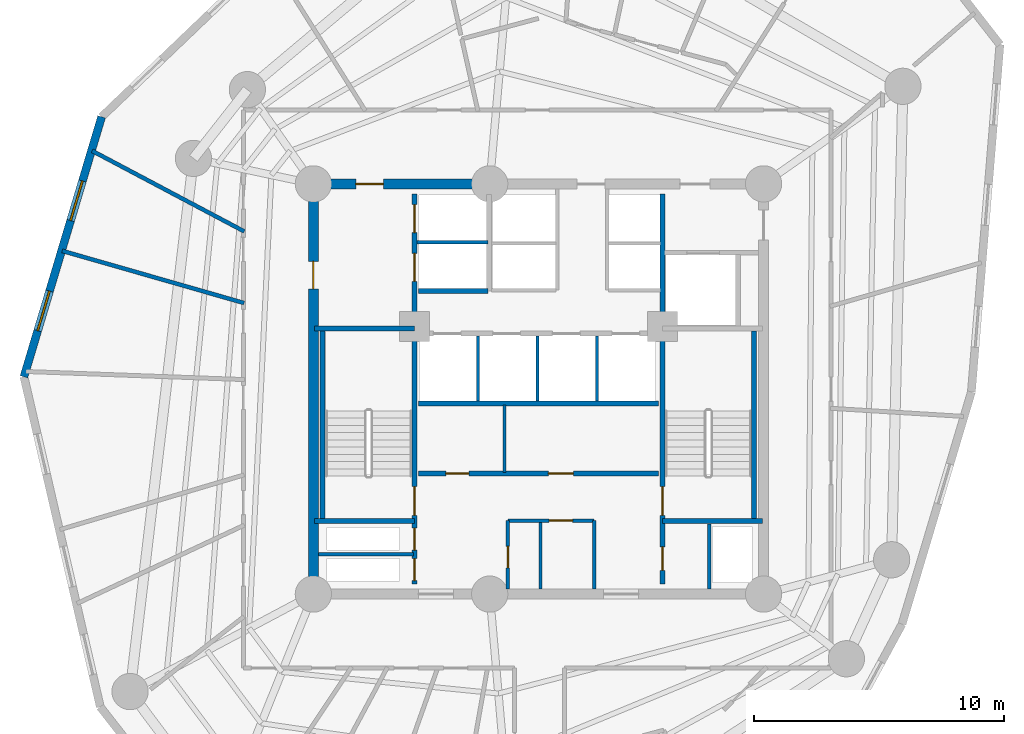
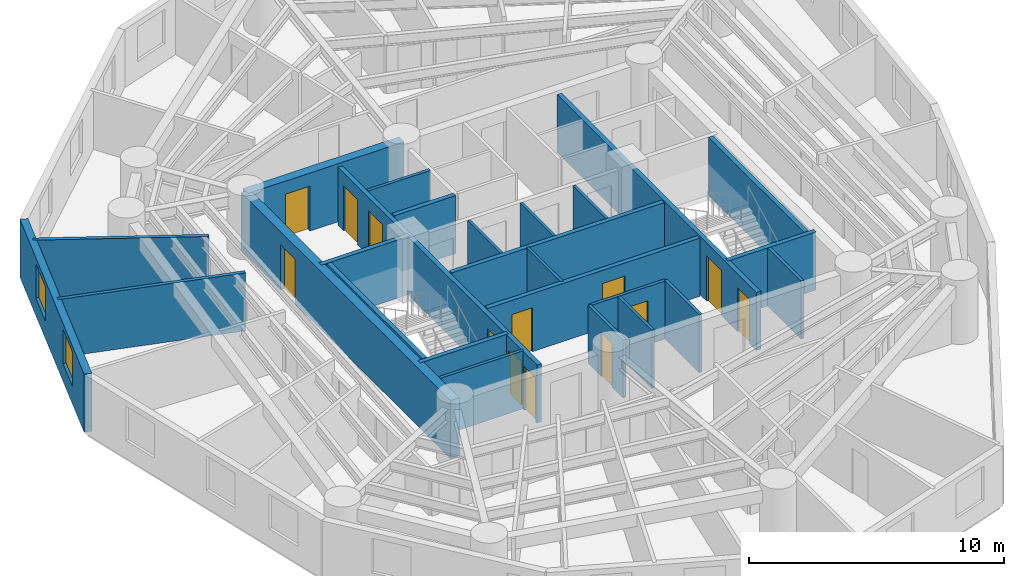
# One storey, part 4 of 7: 26 walls, 13 doors, 2 windows, 15 openings.
"""IFC4 building model written with IfcOpenShell, lengths in metres."""

from ifc_helpers import new_model, si_unit, direction, frame, frame_2d, origin, origin_with_axes, place, context, subcontext, project, spatial, rectangle, extrude, source, transform, mapped, material, layer, layer_set, type_object, element, fill, save


model = new_model("IFC4")

# Units and contexts
model_context = context("Model", 3, precision=1e-05, world=origin(), true_north=direction((0.0, 1.0)))
body_context = subcontext(model_context, "Body", "Model", "MODEL_VIEW")
ifc_project = project(units=[si_unit("LENGTHUNIT", "METRE"), si_unit("AREAUNIT", "SQUARE_METRE"), si_unit("VOLUMEUNIT", "CUBIC_METRE"), si_unit("PLANEANGLEUNIT", "RADIAN"), si_unit("MASSUNIT", "GRAM", prefix="KILO")], contexts=[model_context])

# Site, building, storey
site_placement = place(None, origin())
site = spatial("IfcSite", under=ifc_project, at=site_placement, CompositionType="ELEMENT")
building_placement = place(site_placement, origin())
building = spatial("IfcBuilding", under=site, at=building_placement, Name="Karkom Vertical University and Central Library", CompositionType="ELEMENT")
storey_placement = place(building_placement, frame((0.0, 0.0, 145.0)))
storey = spatial("IfcBuildingStorey", under=building, at=storey_placement, Name="L41", CompositionType="ELEMENT", Elevation=145.0)

# Wall, openings, windows
ifc_material_1 = material(Name="Brick-faced precast concrete C45/55", Category="masonry")
ifc_layer_1 = layer(ifc_material_1, 0.320068359375)
ifc_layer_set_1 = layer_set([ifc_layer_1], Name="Brick-faced precast concrete C45/55")
wall_type_1 = type_object("IfcWallType", Name="ENV-WL-BRK-320", PredefinedType="SOLIDWALL", material=ifc_layer_set_1)
wall_1_placement = place(storey_placement, frame((11.03369140625, 37.381103515625, 0.0), z_axis=(0.0, 0.0, 1.0), x_axis=(-0.286364908396, -0.958120628752, 0.0)))
wall_1 = element("IfcWall", 1, at=wall_1_placement, inside=storey, type_object=wall_type_1, Name="Level 41 Brick-Faced Precast Facade Wall 01", PredefinedType="SOLIDWALL", context=body_context, shape_type="SweptSolid", body=[
    extrude(rectangle(XDim=10.847900390625, YDim=0.320068359375, at=frame_2d((5.423828125, 0.0))), origin(), (0.0, 0.0, 1.0), 2.77490234375),
])
opening_1_placement = place(wall_1_placement, frame((2.676513671875, 0.0, 0.85009765625)))
opening_1 = element("IfcOpeningElement", 2, at=opening_1_placement, cuts=wall_1, Name="Opening WN-06", PredefinedType="OPENING", context=body_context, shape_type="SweptSolid", body=[
    extrude(rectangle(XDim=1.64990234375, YDim=1.64990234375, at=frame_2d((0.824951171875, 0.824951171875))), frame((0.0, 0.169921875, 0.0), z_axis=(0.0, -1.0, 0.0), x_axis=(1.0, 0.0, 0.0)), (0.0, 0.0, 1.0), 0.340087890625),
])
opening_2_placement = place(wall_1_placement, frame((7.2724609375, 0.0, 0.85009765625)))
opening_2 = element("IfcOpeningElement", 3, at=opening_2_placement, cuts=wall_1, Name="Opening WN-06", PredefinedType="OPENING", context=body_context, shape_type="SweptSolid", body=[
    extrude(rectangle(XDim=1.64990234375, YDim=1.64990234375, at=frame_2d((0.824951171875, 0.824951171875))), frame((0.0, 0.169921875, 0.0), z_axis=(0.0, -1.0, 0.0), x_axis=(1.0, 0.0, 0.0)), (0.0, 0.0, 1.0), 0.340087890625),
])
ifc_material_2 = material(Name="Aluminium thermal-break frame with solar-control IGU", Category="aluminium")
window_type = type_object("IfcWindowType", Name="ENV-WIN-WN-06", PartitioningType="SINGLE_PANEL", PredefinedType="WINDOW", material=ifc_material_2)
shared_shape_1 = source(origin_with_axes(), body_context, "Body", "SweptSolid", [
    extrude(rectangle(XDim=1.64990234375, YDim=1.64990234375, at=frame_2d((0.824951171875, 0.824951171875))), frame((0.0, 0.030029296875, 0.0), z_axis=(0.0, -1.0, 0.0), x_axis=(1.0, 0.0, 0.0)), (0.0, 0.0, 1.0), 0.06005859375),
])
window_1_placement = place(opening_1_placement, origin())
window_1 = element("IfcWindow", 4, at=window_1_placement, inside=storey, type_object=window_type, Name="Level 41 Punched Window 1.1", OverallHeight=1.64990234375, OverallWidth=1.64990234375, PartitioningType="SINGLE_PANEL", PredefinedType="WINDOW", context=body_context, shape_type="MappedRepresentation", body=[
    mapped(shared_shape_1, transform((0.0, 0.0, 0.0), scale=1.0)),
])
fill(opening_1, window_1)
window_2_placement = place(opening_2_placement, origin())
window_2 = element("IfcWindow", 5, at=window_2_placement, inside=storey, type_object=window_type, Name="Level 41 Punched Window 1.2", OverallHeight=1.64990234375, OverallWidth=1.64990234375, PartitioningType="SINGLE_PANEL", PredefinedType="WINDOW", context=body_context, shape_type="MappedRepresentation", body=[
    mapped(shared_shape_1, transform((0.0, 0.0, 0.0), scale=1.0)),
])
fill(opening_2, window_2)

# Walls
ifc_material_3 = material(Name="Insulated metal-stud drywall 160mm", Category="gypsum")
ifc_layer_2 = layer(ifc_material_3, 0.159912109375)
ifc_layer_set_2 = layer_set([ifc_layer_2], Name="Insulated metal-stud drywall 160mm")
wall_type_2 = type_object("IfcWallType", Name="INT-WL-COR-160", PredefinedType="PARTITIONING", material=ifc_layer_set_2)
wall_2_placement = place(storey_placement, frame((16.728759765625, 29.937744140625, 0.0), z_axis=(0.0, 0.0, 1.0), x_axis=(-0.961264069999, 0.27562907635, 0.0)))
element("IfcWall", 6, at=wall_2_placement, inside=storey, type_object=wall_type_2, Name="Level 41 Interior Partition Wall L41-PW-032", PredefinedType="PARTITIONING", context=body_context, shape_type="SweptSolid", body=[
    extrude(rectangle(XDim=7.5634765625, YDim=0.159912109375, at=frame_2d((3.78173828125, 0.0))), origin(), (0.0, 0.0, 1.0), 2.77490234375),
])
wall_3_placement = place(storey_placement, frame((16.73974609375, 32.798095703125, 0.0), z_axis=(0.0, 0.0, 1.0), x_axis=(-0.883656797491, 0.468135305492, 0.0)))
element("IfcWall", 7, at=wall_3_placement, inside=storey, type_object=wall_type_2, Name="Level 41 Interior Partition Wall L41-PW-031", PredefinedType="PARTITIONING", context=body_context, shape_type="SweptSolid", body=[
    extrude(rectangle(XDim=6.88623046875, YDim=0.159912109375, at=frame_2d((3.443115234375, 0.0))), origin(), (0.0, 0.0, 1.0), 2.77490234375),
])
ifc_material_4 = material(Name="Moisture-resistant drywall 120mm", Category="gypsum")
ifc_layer_3 = layer(ifc_material_4, 0.1201171875)
ifc_layer_set_3 = layer_set([ifc_layer_3], Name="Moisture-resistant drywall 120mm")
wall_type_3 = type_object("IfcWallType", Name="INT-WL-INT-120", PredefinedType="PARTITIONING", material=ifc_layer_set_3)
wall_4_placement = place(storey_placement, frame((27.14990234375, 23.169921875, 0.0), z_axis=(0.0, 0.0, 1.0), x_axis=(0.0, 1.0, 0.0)))
element("IfcWall", 8, at=wall_4_placement, inside=storey, type_object=wall_type_3, Name="Level 41 Interior Partition Wall L41-CW-B1-K2", PredefinedType="PARTITIONING", context=body_context, shape_type="SweptSolid", body=[
    extrude(rectangle(XDim=2.7001953125, YDim=0.1201171875, at=frame_2d((1.35009765625, 0.0))), origin(), (0.0, 0.0, 1.0), 2.77490234375),
])
wall_5_placement = place(storey_placement, frame((28.580078125, 18.507080078125, 0.0), z_axis=(0.0, 0.0, 1.0), x_axis=(0.0, 1.0, 0.0)))
element("IfcWall", 9, at=wall_5_placement, inside=storey, type_object=wall_type_3, Name="Level 41 Interior Partition Wall L41-CW-K2-DIV", PredefinedType="PARTITIONING", context=body_context, shape_type="SweptSolid", body=[
    extrude(rectangle(XDim=2.66162109375, YDim=0.1201171875, at=frame_2d((1.330810546875, 0.0))), origin(), (0.0, 0.0, 1.0), 2.77490234375),
])
ifc_layer_4 = layer(ifc_material_4, 0.1201171875)
ifc_layer_set_4 = layer_set([ifc_layer_4], Name="Moisture-resistant drywall 120mm")
wall_type_4 = type_object("IfcWallType", Name="INT-WL-INT-120H", PredefinedType="PARTITIONING", material=ifc_layer_set_4)
for number, where, z_axis, x_axis, name in (
    (10, (26.080078125, 26.02001953125, 0.0), (0.0, 0.0, 1.0), (0.0, 1.0, 0.0), "Level 41 Interior Partition Wall L41-CW-PM-DIV1"),
    (11, (28.4599609375, 26.02001953125, 0.0), (0.0, 0.0, 1.0), (0.0, 1.0, 0.0), "Level 41 Interior Partition Wall L41-CW-PM-DIV2"),
    (12, (30.840087890625, 26.02001953125, 0.0), (0.0, 0.0, 1.0), (0.0, 1.0, 0.0), "Level 41 Interior Partition Wall L41-CW-PM-DIV3"),
):
    element("IfcWall", number, at=place(storey_placement, frame(where, z_axis=z_axis, x_axis=x_axis)), inside=storey, type_object=wall_type_4, Name=name, PredefinedType="PARTITIONING", context=body_context, shape_type="SweptSolid", body=[
        extrude(rectangle(XDim=2.60009765625, YDim=0.1201171875, at=frame_2d((1.300048828125, 0.0))), origin(), (0.0, 0.0, 1.0), 2.77490234375),
    ])

# Wall, opening, door
ifc_material_5 = material(Name="Metal-stud gypsum partition 140mm", Category="gypsum")
ifc_layer_5 = layer(ifc_material_5, 0.139892578125)
ifc_layer_set_5 = layer_set([ifc_layer_5], Name="Metal-stud gypsum partition 140mm")
wall_type_5 = type_object("IfcWallType", Name="INT-WL-SUB-140", PredefinedType="PARTITIONING", material=ifc_layer_set_5)
wall_6_placement = place(storey_placement, frame((27.280029296875, 21.239990234375, 0.0), z_axis=(0.0, 0.0, 1.0), x_axis=(1.0, 0.0, 0.0)))
wall_6 = element("IfcWall", 13, at=wall_6_placement, inside=storey, type_object=wall_type_5, Name="Level 41 Interior Partition Wall L41-CW-KBAY-N", PredefinedType="PARTITIONING", context=body_context, shape_type="SweptSolid", body=[
    extrude(rectangle(XDim=3.43994140625, YDim=0.139892578125, at=frame_2d((1.719970703125, 0.0))), origin(), (0.0, 0.0, 1.0), 2.77490234375),
])
opening_3_placement = place(wall_6_placement, frame((1.64990234375, 0.0, 0.0)))
opening_3 = element("IfcOpeningElement", 14, at=opening_3_placement, cuts=wall_6, Name="Opening D-WC1", PredefinedType="OPENING", context=body_context, shape_type="SweptSolid", body=[
    extrude(rectangle(XDim=0.93994140625, YDim=2.10009765625, at=frame_2d((0.469970703125, 1.050048828125))), frame((0.0, 0.080078125, 0.0), z_axis=(0.0, -1.0, 0.0), x_axis=(1.0, 0.0, 0.0)), (0.0, 0.0, 1.0), 0.159912109375),
])
ifc_material_6 = material(Name="Fire-rated laminate moisture-resistant door", Category="wood")
door_type_1 = type_object("IfcDoorType", Name="INT-DR-WC1", OperationType="NOTDEFINED", PredefinedType="DOOR", material=ifc_material_6)
shared_shape_2 = source(origin_with_axes(), body_context, "Body", "SweptSolid", [
    extrude(rectangle(XDim=0.93994140625, YDim=2.10009765625, at=frame_2d((0.469970703125, 1.050048828125))), frame((0.0, 0.02490234375, 0.0), z_axis=(0.0, -1.0, 0.0), x_axis=(1.0, 0.0, 0.0)), (0.0, 0.0, 1.0), 0.050048828125),
])
door_1_placement = place(opening_3_placement, origin())
door_1 = element("IfcDoor", 15, at=door_1_placement, inside=storey, type_object=door_type_1, Name="Level 41 Staff WC Door", OperationType="SINGLE_SWING_RIGHT", OverallHeight=2.10009765625, OverallWidth=0.93994140625, PredefinedType="DOOR", context=body_context, shape_type="MappedRepresentation", body=[
    mapped(shared_shape_2, transform((0.0, 0.0, 0.0), scale=1.0)),
])
fill(opening_3, door_1)

wall_7_placement = place(storey_placement, frame((27.280029296875, 18.507080078125, 0.0), z_axis=(0.0, 0.0, 1.0), x_axis=(0.0, 1.0, 0.0)))
wall_7 = element("IfcWall", 16, at=wall_7_placement, inside=storey, type_object=wall_type_5, Name="Level 41 Interior Partition Wall L41-CW-KBAY-W", PredefinedType="PARTITIONING", context=body_context, shape_type="SweptSolid", body=[
    extrude(rectangle(XDim=2.73291015625, YDim=0.139892578125, at=frame_2d((1.366455078125, 0.0))), origin(), (0.0, 0.0, 1.0), 2.77490234375),
])
opening_4_placement = place(wall_7_placement, frame((0.840087890625, 0.0, 0.0)))
opening_4 = element("IfcOpeningElement", 17, at=opening_4_placement, cuts=wall_7, Name="Opening D-BATH", PredefinedType="OPENING", context=body_context, shape_type="SweptSolid", body=[
    extrude(rectangle(XDim=0.860107421875, YDim=2.10009765625, at=frame_2d((0.43017578125, 1.050048828125))), frame((0.0, 0.080078125, 0.0), z_axis=(0.0, -1.0, 0.0), x_axis=(1.0, 0.0, 0.0)), (0.0, 0.0, 1.0), 0.159912109375),
])
ifc_material_7 = material(Name="Moisture-resistant oak door", Category="wood")
door_type_2 = type_object("IfcDoorType", Name="INT-DR-BATH", OperationType="NOTDEFINED", PredefinedType="DOOR", material=ifc_material_7)
shared_shape_3 = source(origin_with_axes(), body_context, "Body", "SweptSolid", [
    extrude(rectangle(XDim=0.860107421875, YDim=2.10009765625, at=frame_2d((0.43017578125, 1.050048828125))), frame((0.0, 0.02490234375, 0.0), z_axis=(0.0, -1.0, 0.0), x_axis=(1.0, 0.0, 0.0)), (0.0, 0.0, 1.0), 0.050048828125),
])
door_2_placement = place(opening_4_placement, origin())
door_2 = element("IfcDoor", 18, at=door_2_placement, inside=storey, type_object=door_type_2, Name="Level 41 Cleaners Store Door", OperationType="SINGLE_SWING_LEFT", OverallHeight=2.10009765625, OverallWidth=0.860107421875, PredefinedType="DOOR", context=body_context, shape_type="MappedRepresentation", body=[
    mapped(shared_shape_3, transform((0.0, 0.0, 0.0), scale=1.0)),
])
fill(opening_4, door_2)

# Walls
wall_8_placement = place(storey_placement, frame((30.719970703125, 18.507080078125, 0.0), z_axis=(0.0, 0.0, 1.0), x_axis=(0.0, 1.0, 0.0)))
element("IfcWall", 19, at=wall_8_placement, inside=storey, type_object=wall_type_5, Name="Level 41 Interior Partition Wall L41-CW-KBAY-E", PredefinedType="PARTITIONING", context=body_context, shape_type="SweptSolid", body=[
    extrude(rectangle(XDim=2.73291015625, YDim=0.139892578125, at=frame_2d((1.366455078125, 0.0))), origin(), (0.0, 0.0, 1.0), 2.77490234375),
])
ifc_layer_6 = layer(ifc_material_5, 0.139892578125)
ifc_layer_set_6 = layer_set([ifc_layer_6], Name="Metal-stud gypsum partition 140mm")
wall_type_6 = type_object("IfcWallType", Name="INT-WL-SUB-140H", PredefinedType="PARTITIONING", material=ifc_layer_set_6)
wall_9_placement = place(storey_placement, frame((19.70703125, 19.889892578125, 0.0), z_axis=(0.0, 0.0, 1.0), x_axis=(1.0, 0.0, 0.0)))
element("IfcWall", 20, at=wall_9_placement, inside=storey, type_object=wall_type_6, Name="Level 41 Interior Partition Wall L41-CW-RIS-W", PredefinedType="PARTITIONING", context=body_context, shape_type="SweptSolid", body=[
    extrude(rectangle(XDim=3.789794921875, YDim=0.139892578125, at=frame_2d((1.89501953125, 0.0))), origin(), (0.0, 0.0, 1.0), 2.77490234375),
])
wall_10_placement = place(storey_placement, frame((35.320068359375, 18.507080078125, 0.0), z_axis=(0.0, 0.0, 1.0), x_axis=(0.0, 1.0, 0.0)))
element("IfcWall", 21, at=wall_10_placement, inside=storey, type_object=wall_type_6, Name="Level 41 Interior Partition Wall L41-CW-RIS-E", PredefinedType="PARTITIONING", context=body_context, shape_type="SweptSolid", body=[
    extrude(rectangle(XDim=2.603759765625, YDim=0.139892578125, at=frame_2d((1.3017578125, 0.0))), origin(), (0.0, 0.0, 1.0), 2.77490234375),
])
ifc_layer_7 = layer(ifc_material_5, 0.139892578125)
ifc_layer_set_7 = layer_set([ifc_layer_7], Name="Metal-stud gypsum partition 140mm")
wall_type_7 = type_object("IfcWallType", Name="INT-WL-SUB-140X", PredefinedType="PARTITIONING", material=ifc_layer_set_7)
wall_11_placement = place(storey_placement, frame((23.652099609375, 32.3701171875, 0.0), z_axis=(0.0, 0.0, 1.0), x_axis=(1.0, 0.0, 0.0)))
element("IfcWall", 22, at=wall_11_placement, inside=storey, type_object=wall_type_7, Name="Level 41 Interior Partition Wall L41-CW-FFL-M", PredefinedType="PARTITIONING", context=body_context, shape_type="SweptSolid", body=[
    extrude(rectangle(XDim=2.827880859375, YDim=0.139892578125, at=frame_2d((1.4140625, 0.0))), origin(), (0.0, 0.0, 1.0), 2.77490234375),
])

# Wall, opening, door
ifc_material_8 = material(Name="Concrete C50/60", Category="concrete")
ifc_layer_8 = layer(ifc_material_8, 0.39990234375)
ifc_layer_set_8 = layer_set([ifc_layer_8], Name="Concrete C50/60")
wall_type_8 = type_object("IfcWallType", Name="STR-WL-CW-400", PredefinedType="SHEAR", material=ifc_layer_set_8)
wall_12_placement = place(storey_placement, frame((26.550048828125, 34.699951171875, 0.0), z_axis=(0.0, 0.0, 1.0), x_axis=(-1.0, 0.0, 0.0)))
wall_12 = element("IfcWall", 23, at=wall_12_placement, inside=storey, type_object=wall_type_8, Name="Level 41 Central Core Shear Wall NW2", PredefinedType="SHEAR", context=body_context, shape_type="SweptSolid", body=[
    extrude(rectangle(XDim=7.050048828125, YDim=0.39990234375, at=frame_2d((3.52490234375, 0.0))), origin(), (0.0, 0.0, 1.0), 2.77490234375),
])
opening_5_placement = place(wall_12_placement, frame((4.25, 0.0, 0.0)))
opening_5 = element("IfcOpeningElement", 24, at=opening_5_placement, cuts=wall_12, Name="Opening FD-FFL", PredefinedType="OPENING", context=body_context, shape_type="SweptSolid", body=[
    extrude(rectangle(XDim=1.10009765625, YDim=2.14990234375, at=frame_2d((0.550048828125, 1.074951171875))), frame((0.0, 0.2099609375, 0.0), z_axis=(0.0, -1.0, 0.0), x_axis=(1.0, 0.0, 0.0)), (0.0, 0.0, 1.0), 0.419921875),
])
ifc_material_9 = material(Name="Painted steel smoke-seal fire door", Category="steel")
door_type_3 = type_object("IfcDoorType", Name="INT-DR-FFL", OperationType="NOTDEFINED", PredefinedType="DOOR", material=ifc_material_9)
shared_shape_4 = source(origin_with_axes(), body_context, "Body", "SweptSolid", [
    extrude(rectangle(XDim=1.10009765625, YDim=2.14990234375, at=frame_2d((0.550048828125, 1.074951171875))), frame((0.0, 0.02490234375, 0.0), z_axis=(0.0, -1.0, 0.0), x_axis=(1.0, 0.0, 0.0)), (0.0, 0.0, 1.0), 0.050048828125),
])
door_3_placement = place(opening_5_placement, origin())
door_3 = element("IfcDoor", 25, at=door_3_placement, inside=storey, type_object=door_type_3, Name="Level 41 Firefighting Lobby Door", OperationType="SINGLE_SWING_RIGHT", OverallHeight=2.14990234375, OverallWidth=1.10009765625, PredefinedType="DOOR", context=body_context, shape_type="MappedRepresentation", body=[
    mapped(shared_shape_4, transform((0.0, 0.0, 0.0), scale=1.0)),
])
fill(opening_5, door_3)

wall_13_placement = place(storey_placement, frame((19.5, 34.699951171875, 0.0), z_axis=(0.0, 0.0, 1.0), x_axis=(0.0, -1.0, 0.0)))
wall_13 = element("IfcWall", 26, at=wall_13_placement, inside=storey, type_object=wall_type_8, Name="Level 41 Central Core Shear Wall WW", PredefinedType="SHEAR", context=body_context, shape_type="SweptSolid", body=[
    extrude(rectangle(XDim=16.39990234375, YDim=0.39990234375, at=frame_2d((8.199951171875, 0.0))), origin(), (0.0, 0.0, 1.0), 2.77490234375),
])
opening_6_placement = place(wall_13_placement, frame((3.10009765625, 0.0, 0.0)))
opening_6 = element("IfcOpeningElement", 27, at=opening_6_placement, cuts=wall_13, Name="Opening FD-FFL", PredefinedType="OPENING", context=body_context, shape_type="SweptSolid", body=[
    extrude(rectangle(XDim=1.10009765625, YDim=2.14990234375, at=frame_2d((0.550048828125, 1.074951171875))), frame((0.0, 0.2099609375, 0.0), z_axis=(0.0, -1.0, 0.0), x_axis=(1.0, 0.0, 0.0)), (0.0, 0.0, 1.0), 0.419921875),
])
door_4_placement = place(opening_6_placement, origin())
door_4 = element("IfcDoor", 28, at=door_4_placement, inside=storey, type_object=door_type_3, Name="Level 41 West Corridor Firefighting Lobby Door", OperationType="SINGLE_SWING_LEFT", OverallHeight=2.14990234375, OverallWidth=1.10009765625, PredefinedType="DOOR", context=body_context, shape_type="MappedRepresentation", body=[
    mapped(shared_shape_4, transform((0.0, 0.0, 0.0), scale=1.0)),
])
fill(opening_6, door_4)

# Wall, openings, doors
ifc_material_10 = material(Name="Concrete C45/55", Category="concrete")
ifc_layer_9 = layer(ifc_material_10, 0.199951171875)
ifc_layer_set_9 = layer_set([ifc_layer_9], Name="Concrete C45/55")
wall_type_9 = type_object("IfcWallType", Name="STR-WL-ST-200", PredefinedType="SHEAR", material=ifc_layer_set_9)
wall_14_placement = place(storey_placement, frame((23.544921875, 18.699951171875, 0.0), z_axis=(0.0, 0.0, 1.0), x_axis=(0.0, 1.0, 0.0)))
wall_14 = element("IfcWall", 29, at=wall_14_placement, inside=storey, type_object=wall_type_9, Name="Level 41 Core Shaft Wall L41-CW-ST1-E", PredefinedType="SHEAR", context=body_context, shape_type="SweptSolid", body=[
    extrude(rectangle(XDim=15.60009765625, YDim=0.199951171875, at=frame_2d((7.800048828125, 0.0))), origin(), (0.0, 0.0, 1.0), 2.77490234375),
])
opening_7_placement = place(wall_14_placement, frame((2.75, 0.0, 0.0)))
opening_7 = element("IfcOpeningElement", 30, at=opening_7_placement, cuts=wall_14, Name="Opening FD-ST1", PredefinedType="OPENING", context=body_context, shape_type="SweptSolid", body=[
    extrude(rectangle(XDim=1.14990234375, YDim=2.14990234375, at=frame_2d((0.574951171875, 1.074951171875))), frame((0.0, 0.10986328125, 0.0), z_axis=(0.0, -1.0, 0.0), x_axis=(1.0, 0.0, 0.0)), (0.0, 0.0, 1.0), 0.219970703125),
])
opening_8_placement = place(wall_14_placement, frame((0.139892578125, 0.0, 0.0)))
opening_8 = element("IfcOpeningElement", 31, at=opening_8_placement, cuts=wall_14, Name="Opening FD-RIS", PredefinedType="OPENING", context=body_context, shape_type="SweptSolid", body=[
    extrude(rectangle(XDim=0.8798828125, YDim=2.10009765625, at=frame_2d((0.43994140625, 1.050048828125))), frame((0.0, 0.10986328125, 0.0), z_axis=(0.0, -1.0, 0.0), x_axis=(1.0, 0.0, 0.0)), (0.0, 0.0, 1.0), 0.219970703125),
])
opening_9_placement = place(wall_14_placement, frame((1.360107421875, 0.0, 0.0)))
opening_9 = element("IfcOpeningElement", 32, at=opening_9_placement, cuts=wall_14, Name="Opening FD-RIS", PredefinedType="OPENING", context=body_context, shape_type="SweptSolid", body=[
    extrude(rectangle(XDim=0.8798828125, YDim=2.10009765625, at=frame_2d((0.43994140625, 1.050048828125))), frame((0.0, 0.10986328125, 0.0), z_axis=(0.0, -1.0, 0.0), x_axis=(1.0, 0.0, 0.0)), (0.0, 0.0, 1.0), 0.219970703125),
])
opening_10_placement = place(wall_14_placement, frame((12.10009765625, 0.0, 0.0)))
opening_10 = element("IfcOpeningElement", 33, at=opening_10_placement, cuts=wall_14, Name="Opening LD-FFL", PredefinedType="OPENING", context=body_context, shape_type="SweptSolid", body=[
    extrude(rectangle(XDim=1.1201171875, YDim=2.14990234375, at=frame_2d((0.56005859375, 1.074951171875))), frame((0.0, 0.10986328125, 0.0), z_axis=(0.0, -1.0, 0.0), x_axis=(1.0, 0.0, 0.0)), (0.0, 0.0, 1.0), 0.219970703125),
])
opening_11_placement = place(wall_14_placement, frame((14.050048828125, 0.0, 0.0)))
opening_11 = element("IfcOpeningElement", 34, at=opening_11_placement, cuts=wall_14, Name="Opening LD-FFL", PredefinedType="OPENING", context=body_context, shape_type="SweptSolid", body=[
    extrude(rectangle(XDim=1.1201171875, YDim=2.14990234375, at=frame_2d((0.56005859375, 1.074951171875))), frame((0.0, 0.10986328125, 0.0), z_axis=(0.0, -1.0, 0.0), x_axis=(1.0, 0.0, 0.0)), (0.0, 0.0, 1.0), 0.219970703125),
])
ifc_material_11 = material(Name="Painted steel acoustic fire door", Category="steel")
door_type_4 = type_object("IfcDoorType", Name="INT-DR-ST1", OperationType="NOTDEFINED", PredefinedType="DOOR", material=ifc_material_11)
shared_shape_5 = source(origin_with_axes(), body_context, "Body", "SweptSolid", [
    extrude(rectangle(XDim=1.14990234375, YDim=2.14990234375, at=frame_2d((0.574951171875, 1.074951171875))), frame((0.0, 0.02490234375, 0.0), z_axis=(0.0, -1.0, 0.0), x_axis=(1.0, 0.0, 0.0)), (0.0, 0.0, 1.0), 0.050048828125),
])
door_5_placement = place(opening_7_placement, origin())
door_5 = element("IfcDoor", 35, at=door_5_placement, inside=storey, type_object=door_type_4, Name="Level 41 Stair ST-1 Fire Door", OperationType="SINGLE_SWING_RIGHT", OverallHeight=2.14990234375, OverallWidth=1.14990234375, PredefinedType="DOOR", context=body_context, shape_type="MappedRepresentation", body=[
    mapped(shared_shape_5, transform((0.0, 0.0, 0.0), scale=1.0)),
])
fill(opening_7, door_5)
ifc_material_12 = material(Name="Painted steel riser access door", Category="steel")
door_type_5 = type_object("IfcDoorType", Name="INT-DR-RIS", OperationType="NOTDEFINED", PredefinedType="DOOR", material=ifc_material_12)
shared_shape_6 = source(origin_with_axes(), body_context, "Body", "SweptSolid", [
    extrude(rectangle(XDim=0.8798828125, YDim=2.10009765625, at=frame_2d((0.43994140625, 1.050048828125))), frame((0.0, 0.02490234375, 0.0), z_axis=(0.0, -1.0, 0.0), x_axis=(1.0, 0.0, 0.0)), (0.0, 0.0, 1.0), 0.050048828125),
])
door_6_placement = place(opening_8_placement, origin())
door_6 = element("IfcDoor", 36, at=door_6_placement, inside=storey, type_object=door_type_5, Name="Level 41 Electrical Riser Access Door", OperationType="SINGLE_SWING_RIGHT", OverallHeight=2.10009765625, OverallWidth=0.8798828125, PredefinedType="DOOR", context=body_context, shape_type="MappedRepresentation", body=[
    mapped(shared_shape_6, transform((0.0, 0.0, 0.0), scale=1.0)),
])
fill(opening_8, door_6)
door_7_placement = place(opening_9_placement, origin())
door_7 = element("IfcDoor", 37, at=door_7_placement, inside=storey, type_object=door_type_5, Name="Level 41 Telecom Riser Access Door", OperationType="SINGLE_SWING_LEFT", OverallHeight=2.10009765625, OverallWidth=0.8798828125, PredefinedType="DOOR", context=body_context, shape_type="MappedRepresentation", body=[
    mapped(shared_shape_6, transform((0.0, 0.0, 0.0), scale=1.0)),
])
fill(opening_9, door_7)
ifc_material_13 = material(Name="Fire-rated stainless-steel landing door", Category="steel")
door_type_6 = type_object("IfcDoorType", Name="INT-DR-LD-FFL", OperationType="SLIDING_TO_LEFT", PredefinedType="DOOR", material=ifc_material_13)
shared_shape_7 = source(origin_with_axes(), body_context, "Body", "SweptSolid", [
    extrude(rectangle(XDim=1.1201171875, YDim=2.14990234375, at=frame_2d((0.56005859375, 1.074951171875))), frame((0.0, 0.02490234375, 0.0), z_axis=(0.0, -1.0, 0.0), x_axis=(1.0, 0.0, 0.0)), (0.0, 0.0, 1.0), 0.050048828125),
])
door_8_placement = place(opening_10_placement, origin())
door_8 = element("IfcDoor", 38, at=door_8_placement, inside=storey, type_object=door_type_6, Name="Level 41 Firefighting Lift FFL-1 Landing Door", OperationType="SLIDING_TO_LEFT", OverallHeight=2.14990234375, OverallWidth=1.1201171875, PredefinedType="DOOR", context=body_context, shape_type="MappedRepresentation", body=[
    mapped(shared_shape_7, transform((0.0, 0.0, 0.0), scale=1.0)),
])
fill(opening_10, door_8)
door_9_placement = place(opening_11_placement, origin())
door_9 = element("IfcDoor", 39, at=door_9_placement, inside=storey, type_object=door_type_6, Name="Level 41 Firefighting Lift FFL-2 Landing Door", OperationType="SLIDING_TO_RIGHT", OverallHeight=2.14990234375, OverallWidth=1.1201171875, PredefinedType="DOOR", context=body_context, shape_type="MappedRepresentation", body=[
    mapped(shared_shape_7, transform((0.0, 0.0, 0.0), scale=1.0)),
])
fill(opening_11, door_9)

wall_15_placement = place(storey_placement, frame((33.455078125, 18.699951171875, 0.0), z_axis=(0.0, 0.0, 1.0), x_axis=(0.0, 1.0, 0.0)))
wall_15 = element("IfcWall", 40, at=wall_15_placement, inside=storey, type_object=wall_type_9, Name="Level 41 Core Shaft Wall L41-CW-ST2-W", PredefinedType="SHEAR", context=body_context, shape_type="SweptSolid", body=[
    extrude(rectangle(XDim=15.60009765625, YDim=0.199951171875, at=frame_2d((7.800048828125, 0.0))), origin(), (0.0, 0.0, 1.0), 2.77490234375),
])
opening_12_placement = place(wall_15_placement, frame((2.75, 0.0, 0.0)))
opening_12 = element("IfcOpeningElement", 41, at=opening_12_placement, cuts=wall_15, Name="Opening FD-ST1", PredefinedType="OPENING", context=body_context, shape_type="SweptSolid", body=[
    extrude(rectangle(XDim=1.14990234375, YDim=2.14990234375, at=frame_2d((0.574951171875, 1.074951171875))), frame((0.0, 0.10986328125, 0.0), z_axis=(0.0, -1.0, 0.0), x_axis=(1.0, 0.0, 0.0)), (0.0, 0.0, 1.0), 0.219970703125),
])
opening_13_placement = place(wall_15_placement, frame((0.550048828125, 0.0, 0.0)))
opening_13 = element("IfcOpeningElement", 42, at=opening_13_placement, cuts=wall_15, Name="Opening D-WC1", PredefinedType="OPENING", context=body_context, shape_type="SweptSolid", body=[
    extrude(rectangle(XDim=0.93994140625, YDim=2.10009765625, at=frame_2d((0.469970703125, 1.050048828125))), frame((0.0, 0.10986328125, 0.0), z_axis=(0.0, -1.0, 0.0), x_axis=(1.0, 0.0, 0.0)), (0.0, 0.0, 1.0), 0.219970703125),
])
door_10_placement = place(opening_12_placement, origin())
door_10 = element("IfcDoor", 43, at=door_10_placement, inside=storey, type_object=door_type_4, Name="Level 41 Stair ST-2 Fire Door", OperationType="SINGLE_SWING_LEFT", OverallHeight=2.14990234375, OverallWidth=1.14990234375, PredefinedType="DOOR", context=body_context, shape_type="MappedRepresentation", body=[
    mapped(shared_shape_5, transform((0.0, 0.0, 0.0), scale=1.0)),
])
fill(opening_12, door_10)
door_11_placement = place(opening_13_placement, origin())
door_11 = element("IfcDoor", 44, at=door_11_placement, inside=storey, type_object=door_type_1, Name="Level 41 Accessible WC Door", OperationType="SINGLE_SWING_RIGHT", OverallHeight=2.10009765625, OverallWidth=0.93994140625, PredefinedType="DOOR", context=body_context, shape_type="MappedRepresentation", body=[
    mapped(shared_shape_2, transform((0.0, 0.0, 0.0), scale=1.0)),
])
fill(opening_13, door_11)

wall_16_placement = place(storey_placement, frame((23.699951171875, 23.1201171875, 0.0), z_axis=(0.0, 0.0, 1.0), x_axis=(1.0, 0.0, 0.0)))
wall_16 = element("IfcWall", 45, at=wall_16_placement, inside=storey, type_object=wall_type_9, Name="Level 41 Core Shaft Wall L41-CW-B1-S", PredefinedType="SHEAR", context=body_context, shape_type="SweptSolid", body=[
    extrude(rectangle(XDim=9.60009765625, YDim=0.199951171875, at=frame_2d((4.800048828125, 0.0))), origin(), (0.0, 0.0, 1.0), 2.77490234375),
])
opening_14_placement = place(wall_16_placement, frame((1.10009765625, 0.0, 0.0)))
opening_14 = element("IfcOpeningElement", 46, at=opening_14_placement, cuts=wall_16, Name="Opening D-SVC1", PredefinedType="OPENING", context=body_context, shape_type="SweptSolid", body=[
    extrude(rectangle(XDim=0.919921875, YDim=2.10009765625, at=frame_2d((0.4599609375, 1.050048828125))), frame((0.0, 0.10986328125, 0.0), z_axis=(0.0, -1.0, 0.0), x_axis=(1.0, 0.0, 0.0)), (0.0, 0.0, 1.0), 0.219970703125),
])
opening_15_placement = place(wall_16_placement, frame((5.199951171875, 0.0, 0.0)))
opening_15 = element("IfcOpeningElement", 47, at=opening_15_placement, cuts=wall_16, Name="Opening D-STR1", PredefinedType="OPENING", context=body_context, shape_type="SweptSolid", body=[
    extrude(rectangle(XDim=1.0, YDim=2.14990234375, at=frame_2d((0.5, 1.074951171875))), frame((0.0, 0.10986328125, 0.0), z_axis=(0.0, -1.0, 0.0), x_axis=(1.0, 0.0, 0.0)), (0.0, 0.0, 1.0), 0.219970703125),
])
ifc_material_14 = material(Name="Painted timber service door", Category="wood")
door_type_7 = type_object("IfcDoorType", Name="INT-DR-SVC1", OperationType="NOTDEFINED", PredefinedType="DOOR", material=ifc_material_14)
shared_shape_8 = source(origin_with_axes(), body_context, "Body", "SweptSolid", [
    extrude(rectangle(XDim=0.919921875, YDim=2.10009765625, at=frame_2d((0.4599609375, 1.050048828125))), frame((0.0, 0.02490234375, 0.0), z_axis=(0.0, -1.0, 0.0), x_axis=(1.0, 0.0, 0.0)), (0.0, 0.0, 1.0), 0.050048828125),
])
door_12_placement = place(opening_14_placement, origin())
door_12 = element("IfcDoor", 48, at=door_12_placement, inside=storey, type_object=door_type_7, Name="Level 41 B1 West Store Door", OperationType="SINGLE_SWING_LEFT", OverallHeight=2.10009765625, OverallWidth=0.919921875, PredefinedType="DOOR", context=body_context, shape_type="MappedRepresentation", body=[
    mapped(shared_shape_8, transform((0.0, 0.0, 0.0), scale=1.0)),
])
fill(opening_14, door_12)
ifc_material_15 = material(Name="Solid-core hardwood fire door", Category="wood")
door_type_8 = type_object("IfcDoorType", Name="INT-DR-STR1", OperationType="NOTDEFINED", PredefinedType="DOOR", material=ifc_material_15)
shared_shape_9 = source(origin_with_axes(), body_context, "Body", "SweptSolid", [
    extrude(rectangle(XDim=1.0, YDim=2.14990234375, at=frame_2d((0.5, 1.074951171875))), frame((0.0, 0.02490234375, 0.0), z_axis=(0.0, -1.0, 0.0), x_axis=(1.0, 0.0, 0.0)), (0.0, 0.0, 1.0), 0.050048828125),
])
door_13_placement = place(opening_15_placement, origin())
door_13 = element("IfcDoor", 49, at=door_13_placement, inside=storey, type_object=door_type_8, Name="Level 41 B1 East Plant Door", OperationType="SINGLE_SWING_RIGHT", OverallHeight=2.14990234375, OverallWidth=1.0, PredefinedType="DOOR", context=body_context, shape_type="MappedRepresentation", body=[
    mapped(shared_shape_9, transform((0.0, 0.0, 0.0), scale=1.0)),
])
fill(opening_15, door_13)

# Walls
wall_17_placement = place(storey_placement, frame((23.699951171875, 25.919921875, 0.0), z_axis=(0.0, 0.0, 1.0), x_axis=(1.0, 0.0, 0.0)))
element("IfcWall", 50, at=wall_17_placement, inside=storey, type_object=wall_type_9, Name="Level 41 Core Shaft Wall L41-CW-B1-N", PredefinedType="SHEAR", context=body_context, shape_type="SweptSolid", body=[
    extrude(rectangle(XDim=9.60009765625, YDim=0.199951171875, at=frame_2d((4.800048828125, 0.0))), origin(), (0.0, 0.0, 1.0), 2.77490234375),
])
for number, where, z_axis, x_axis, name in (
    (51, (19.875, 21.320068359375, 0.0), (0.0, 0.0, 1.0), (0.0, 1.0, 0.0), "Level 41 Core Shaft Wall L41-CW-ST1-W"),
    (52, (37.125, 21.320068359375, 0.0), (0.0, 0.0, 1.0), (0.0, 1.0, 0.0), "Level 41 Core Shaft Wall L41-CW-ST2-E"),
):
    element("IfcWall", number, at=place(storey_placement, frame(where, z_axis=z_axis, x_axis=x_axis)), inside=storey, type_object=wall_type_9, Name=name, PredefinedType="SHEAR", context=body_context, shape_type="SweptSolid", body=[
        extrude(rectangle(XDim=7.5, YDim=0.199951171875, at=frame_2d((3.75, 0.0))), origin(), (0.0, 0.0, 1.0), 2.77490234375),
    ])
for number, where, z_axis, x_axis, name in (
    (53, (33.455078125, 21.215087890625, 0.0), (0.0, 0.0, 1.0), (1.0, 0.0, 0.0), "Level 41 Core Shaft Wall L41-CW-ST2-S"),
    (54, (19.550048828125, 21.215087890625, 0.0), (0.0, 0.0, 1.0), (1.0, 0.0, 0.0), "Level 41 Core Shaft Wall L41-CW-ST1-S"),
    (55, (19.550048828125, 28.925048828125, 0.0), (0.0, 0.0, 1.0), (1.0, 0.0, 0.0), "Level 41 Core Shaft Wall L41-CW-ST1-N"),
):
    element("IfcWall", number, at=place(storey_placement, frame(where, z_axis=z_axis, x_axis=x_axis)), inside=storey, type_object=wall_type_9, Name=name, PredefinedType="SHEAR", context=body_context, shape_type="SweptSolid", body=[
        extrude(rectangle(XDim=3.994873046875, YDim=0.199951171875, at=frame_2d((1.99755859375, 0.0))), origin(), (0.0, 0.0, 1.0), 2.77490234375),
    ])
wall_18_placement = place(storey_placement, frame((23.699951171875, 30.419921875, 0.0), z_axis=(0.0, 0.0, 1.0), x_axis=(1.0, 0.0, 0.0)))
element("IfcWall", 56, at=wall_18_placement, inside=storey, type_object=wall_type_9, Name="Level 41 Core Shaft Wall L41-CW-FFL-S", PredefinedType="SHEAR", context=body_context, shape_type="SweptSolid", body=[
    extrude(rectangle(XDim=2.780029296875, YDim=0.199951171875, at=frame_2d((1.39013671875, 0.0))), origin(), (0.0, 0.0, 1.0), 2.77490234375),
])

save(model, "model.ifc")
